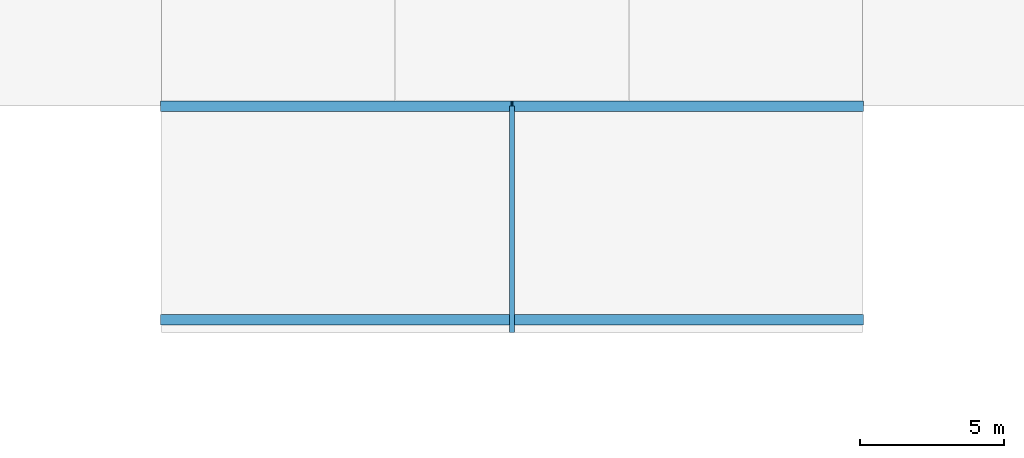
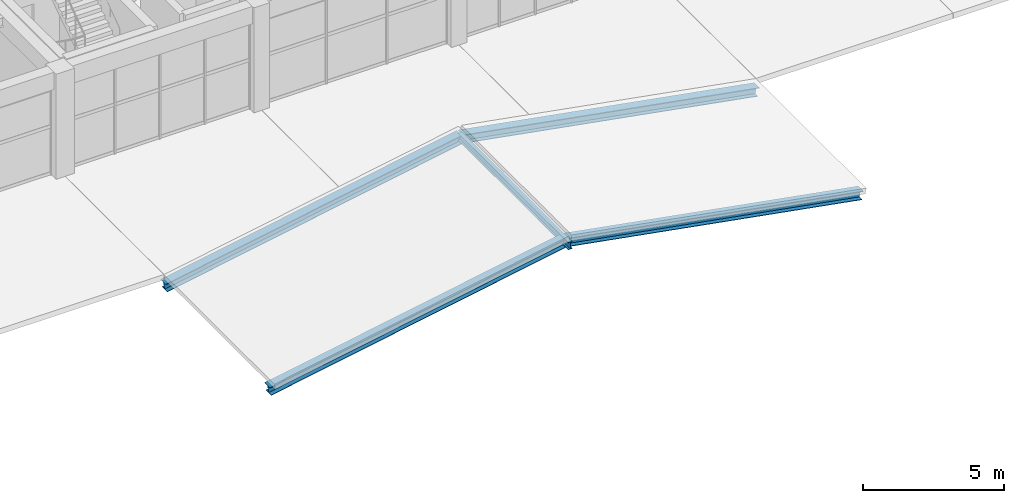
# One storey, part 33 of 161: 5 members.
"""IFC4 building model written with IfcOpenShell, lengths in metres."""

from ifc_helpers import new_model, si_unit, direction, frame, origin, origin_2d, place, context, subcontext, project, spatial, i_section, extrude, material, material_profile, profile_set, type_object, element, save


model = new_model("IFC4")

# Units and contexts
model_context = context("Model", 3, precision=1e-05, world=origin(), true_north=direction((0.0, 1.0)))
body_context = subcontext(model_context, "Body", "Model", "MODEL_VIEW")
ifc_project = project(units=[si_unit("LENGTHUNIT", "METRE"), si_unit("AREAUNIT", "SQUARE_METRE"), si_unit("VOLUMEUNIT", "CUBIC_METRE"), si_unit("PLANEANGLEUNIT", "RADIAN"), si_unit("MASSUNIT", "GRAM", prefix="KILO")], contexts=[model_context])

# Site, building, storey
site_placement = place(None, origin())
site = spatial("IfcSite", under=ifc_project, at=site_placement, CompositionType="ELEMENT")
building_placement = place(site_placement, origin())
building = spatial("IfcBuilding", under=site, at=building_placement, Name="Cimatlan Art Gallery", CompositionType="ELEMENT")
storey_placement = place(building_placement, frame((0.0, 0.0, 5.39990234375)))
storey = spatial("IfcBuildingStorey", under=building, at=storey_placement, Name="L01", CompositionType="ELEMENT", Elevation=5.39990234375)

# Members
ifc_material = material(Name="Steel ASTM A992 Grade 50", Category="steel")
ifc_material_profile_1 = material_profile(ifc_material, i_section(OverallWidth=0.1650390625, OverallDepth=0.31005859375, WebThickness=0.005859375, FlangeThickness=0.009765625, at=origin_2d()), Name="W12X26")
ifc_profile_set_1 = profile_set([ifc_material_profile_1], Name="Steel ASTM A992 Grade 50")
member_type_1 = type_object("IfcMemberType", Name="MBR-PUR-W12", PredefinedType="PURLIN", material=ifc_profile_set_1)
member_1_placement = place(storey_placement, frame((87.050048828125, 8.64990234375, 1.760009765625), z_axis=(0.0, 1.0, 0.0), x_axis=(-1.0, 0.0, 0.0)))
element("IfcMember", 1, at=member_1_placement, inside=storey, type_object=member_type_1, Name="CAN-RDG-PUR", PredefinedType="PURLIN", context=body_context, shape_type="SweptSolid", body=[
    extrude(i_section(OverallWidth=0.1650390625, OverallDepth=0.31005859375, WebThickness=0.005859375, FlangeThickness=0.009765625, at=origin_2d()), origin(), (0.0, 0.0, 1.0), 7.85009765625),
])
ifc_material_profile_2 = material_profile(ifc_material, i_section(OverallWidth=0.37109375, OverallDepth=0.364013671875, WebThickness=0.01318359375, FlangeThickness=0.021728515625, at=origin_2d()), Name="W14X109")
ifc_profile_set_2 = profile_set([ifc_material_profile_2], Name="Steel ASTM A992 Grade 50")
member_type_2 = type_object("IfcMemberType", Name="MBR-RAK-W14X109", PredefinedType="RAFTER", material=ifc_profile_set_2)
member_2_placement = place(storey_placement, frame((74.89990234375, 9.10009765625, -0.47998046875), z_axis=(0.983996835453, 0.0, 0.178185936084), x_axis=(0.0, 1.0, 0.0)))
element("IfcMember", 2, at=member_2_placement, inside=storey, type_object=member_type_2, Name="CAN-RAF-1W", PredefinedType="RAFTER", context=body_context, shape_type="SweptSolid", body=[
    extrude(i_section(OverallWidth=0.37109375, OverallDepth=0.364013671875, WebThickness=0.01318359375, FlangeThickness=0.021728515625, at=origin_2d()), origin(), (0.0, 0.0, 1.0), 12.34765625),
])
member_3_placement = place(storey_placement, frame((87.050048828125, 9.10009765625, 1.72021484375), z_axis=(0.983996207667, 0.0, -0.178189402875), x_axis=(0.0, 1.0, 0.0)))
element("IfcMember", 3, at=member_3_placement, inside=storey, type_object=member_type_2, Name="CAN-RAF-1E", PredefinedType="RAFTER", context=body_context, shape_type="SweptSolid", body=[
    extrude(i_section(OverallWidth=0.37109375, OverallDepth=0.364013671875, WebThickness=0.01318359375, FlangeThickness=0.021728515625, at=origin_2d()), origin(), (0.0, 0.0, 1.0), 12.347412109375),
])
member_4_placement = place(storey_placement, frame((74.89990234375, 16.5, -0.47998046875), z_axis=(0.983996835453, 0.0, 0.178185936084), x_axis=(0.0, 1.0, 0.0)))
element("IfcMember", 4, at=member_4_placement, inside=storey, type_object=member_type_2, Name="CAN-RAF-2W", PredefinedType="RAFTER", context=body_context, shape_type="SweptSolid", body=[
    extrude(i_section(OverallWidth=0.37109375, OverallDepth=0.364013671875, WebThickness=0.01318359375, FlangeThickness=0.021728515625, at=origin_2d()), origin(), (0.0, 0.0, 1.0), 12.34765625),
])
member_5_placement = place(storey_placement, frame((87.050048828125, 16.5, 1.72021484375), z_axis=(0.983996207667, 0.0, -0.178189402875), x_axis=(0.0, 1.0, 0.0)))
element("IfcMember", 5, at=member_5_placement, inside=storey, type_object=member_type_2, Name="CAN-RAF-2E", PredefinedType="RAFTER", context=body_context, shape_type="SweptSolid", body=[
    extrude(i_section(OverallWidth=0.37109375, OverallDepth=0.364013671875, WebThickness=0.01318359375, FlangeThickness=0.021728515625, at=origin_2d()), origin(), (0.0, 0.0, 1.0), 12.347412109375),
])

save(model, "model.ifc")
